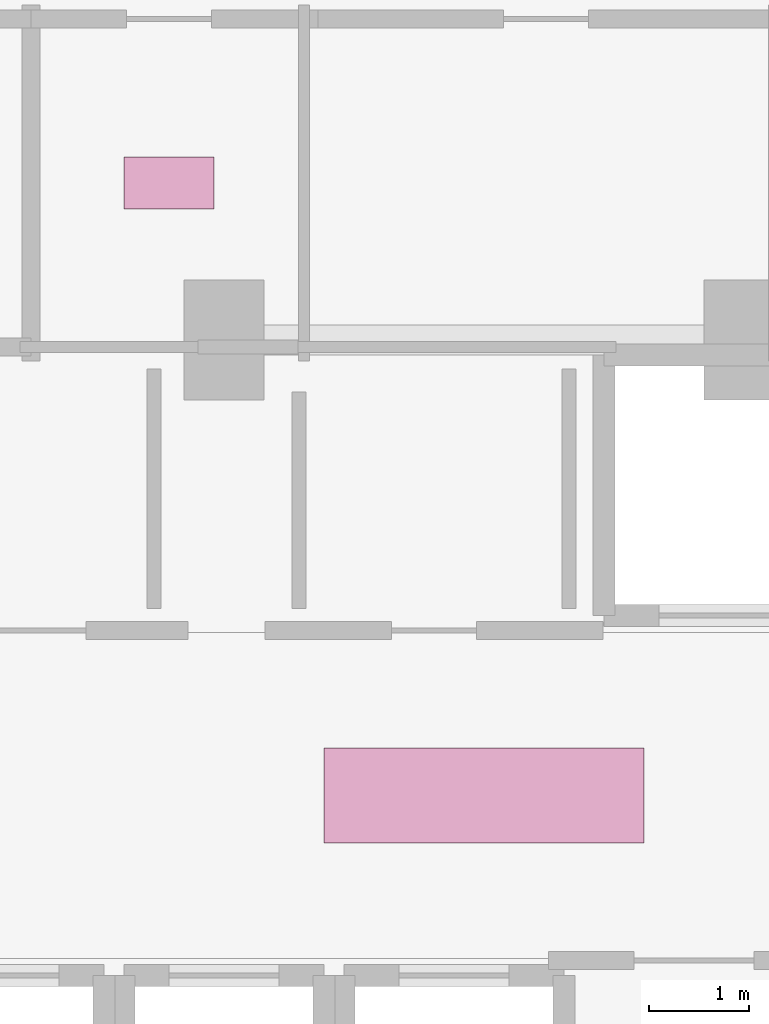
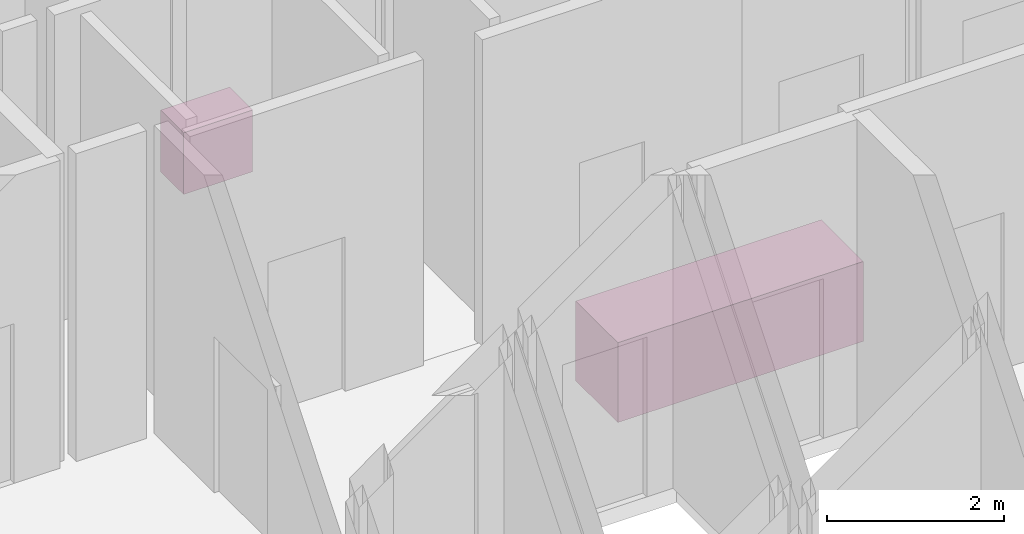
# One storey, part 31 of 31: 2 furnishings.
"""IFC4 building model written with IfcOpenShell, lengths in metres."""

from ifc_helpers import new_model, si_unit, direction, frame, origin, origin_2d, place, context, subcontext, project, spatial, rectangle, extrude, material, type_object, element, save


model = new_model("IFC4")

# Units and contexts
model_context = context("Model", 3, precision=1e-05, world=origin(), true_north=direction((0.0, 1.0)))
body_context = subcontext(model_context, "Body", "Model", "MODEL_VIEW")
ifc_project = project(units=[si_unit("LENGTHUNIT", "METRE"), si_unit("AREAUNIT", "SQUARE_METRE"), si_unit("VOLUMEUNIT", "CUBIC_METRE"), si_unit("PLANEANGLEUNIT", "RADIAN"), si_unit("MASSUNIT", "GRAM", prefix="KILO")], contexts=[model_context])

# Site, building, storey
site_placement = place(None, origin())
site = spatial("IfcSite", under=ifc_project, at=site_placement, CompositionType="ELEMENT")
building_placement = place(site_placement, origin())
building = spatial("IfcBuilding", under=site, at=building_placement, Name="Vorneva Point Tower", CompositionType="ELEMENT")
storey_placement = place(building_placement, frame((0.0, 0.0, 174.60009765625)))
storey = spatial("IfcBuildingStorey", under=building, at=storey_placement, Name="L47", CompositionType="ELEMENT", Elevation=174.60009765625)

# Furnishings
ifc_material_1 = material(Name="Engineered oak fire-rated door leaf", Category="wood")
furniture_type_1 = type_object("IfcFurnitureType", Name="FUR-DSK-3200", AssemblyPlace="NOTDEFINED", PredefinedType="NOTDEFINED", material=ifc_material_1)
furnishing_1_placement = place(storey_placement, frame((38.0, 26.0, -0.005126953125), z_axis=(0.0, 0.0, 1.0), x_axis=(1.0, 0.0, 0.0)))
element("IfcFurnishingElement", 1, at=furnishing_1_placement, inside=storey, type_object=furniture_type_1, Name="L47 Reception and Concierge Desk", ObjectType="L47 Reception and Concierge Desk", context=body_context, shape_type="SweptSolid", body=[
    extrude(rectangle(XDim=3.199951171875, YDim=0.949951171875, at=origin_2d()), origin(), (0.0, 0.0, 1.0), 1.10009765625),
])
ifc_material_2 = material(Name="Vitreous china and granite top", Category="masonry")
furniture_type_2 = type_object("IfcFurnitureType", Name="FUR-VAN-900", AssemblyPlace="NOTDEFINED", PredefinedType="NOTDEFINED", material=ifc_material_2)
furnishing_2_placement = place(storey_placement, frame((34.85009765625, 32.1201171875, -0.005126953125), z_axis=(0.0, 0.0, 1.0), x_axis=(1.0, 0.0, 0.0)))
element("IfcFurnishingElement", 2, at=furnishing_2_placement, inside=storey, type_object=furniture_type_2, Name="L47 Public Male WC Vanity Unit", ObjectType="L47 Public Male WC Vanity Unit", context=body_context, shape_type="SweptSolid", body=[
    extrude(rectangle(XDim=0.89990234375, YDim=0.52001953125, at=origin_2d()), origin(), (0.0, 0.0, 1.0), 0.85009765625),
])

save(model, "model.ifc")
